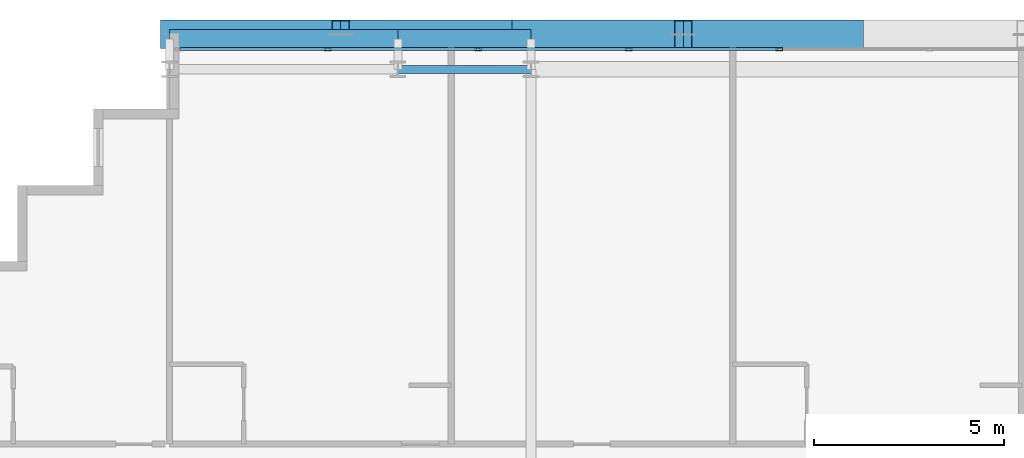
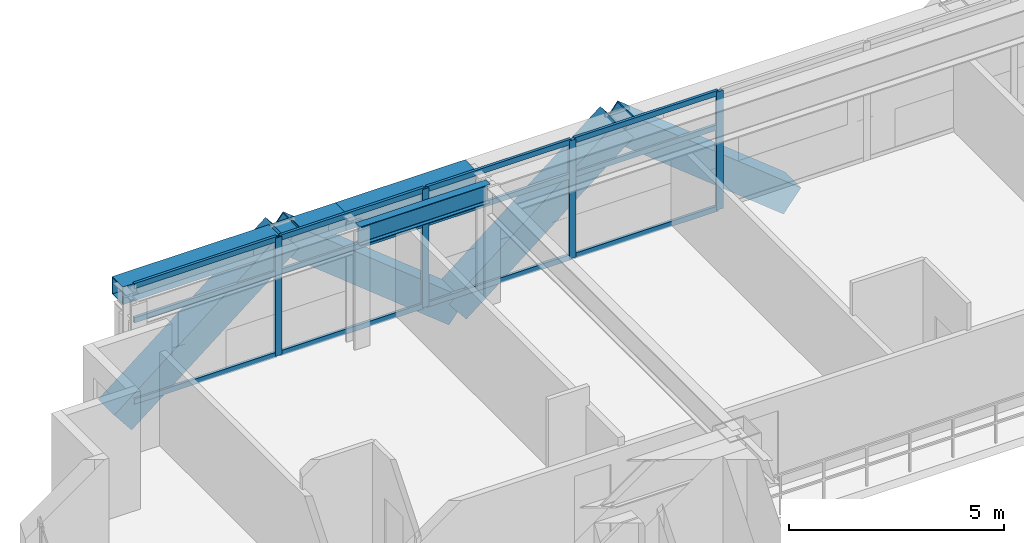
# One storey, part 18 of 34: 20 members, 3 beams, 1 element without a shape of its own.
"""IFC4 building model written with IfcOpenShell, lengths in metres."""

from ifc_helpers import new_model, si_unit, direction, frame, origin, origin_2d, place, context, subcontext, project, spatial, hollow_rectangle, i_section, extrude, source, transform, mapped, material, layer, layer_set, material_profile, profile_set, type_object, element, aggregate, save


model = new_model("IFC4")

# Units and contexts
model_context = context("Model", 3, precision=1e-05, world=origin(), true_north=direction((0.0, 1.0)))
body_context = subcontext(model_context, "Body", "Model", "MODEL_VIEW")
ifc_project = project(units=[si_unit("LENGTHUNIT", "METRE"), si_unit("AREAUNIT", "SQUARE_METRE"), si_unit("VOLUMEUNIT", "CUBIC_METRE"), si_unit("PLANEANGLEUNIT", "RADIAN"), si_unit("MASSUNIT", "GRAM", prefix="KILO")], contexts=[model_context])

# Site, building, storey
site_placement = place(None, origin())
site = spatial("IfcSite", under=ifc_project, at=site_placement, CompositionType="ELEMENT")
building_placement = place(site_placement, origin())
building = spatial("IfcBuilding", under=site, at=building_placement, Name="Ocotamira Hotel", CompositionType="ELEMENT")
storey_placement = place(building_placement, frame((0.0, 0.0, 111.60009765625)))
storey = spatial("IfcBuildingStorey", under=building, at=storey_placement, Name="L27", CompositionType="ELEMENT", Elevation=111.60009765625)

# Beams
ifc_material_1 = material(Name="Steel ASTM A992 Grade 50", Category="steel")
ifc_material_profile_1 = material_profile(ifc_material_1, i_section(OverallWidth=0.2099609375, OverallDepth=0.537109375, WebThickness=0.010986328125, FlangeThickness=0.017333984375, FilletRadius=0.012939453125, at=origin_2d()), Name="W21X68")
ifc_profile_set_1 = profile_set([ifc_material_profile_1], Name="Steel ASTM A992 Grade 50")
beam_type_1 = type_object("IfcBeamType", Name="BM-SEC-W21X68", PredefinedType="JOIST", material=ifc_profile_set_1)
shared_shape_1 = source(origin(), body_context, "Body", "SweptSolid", [
    extrude(i_section(OverallWidth=0.2099609375, OverallDepth=0.537109375, WebThickness=0.010986328125, FlangeThickness=0.017333984375, FilletRadius=0.012939453125, at=origin_2d()), origin(), (0.0, 0.0, 1.0), 3.5),
])
beam_1_placement = place(storey_placement, frame((20.0, 49.050048828125, 3.09130859375), z_axis=(1.0, 0.0, 0.0), x_axis=(0.0, 1.0, 0.0)))
element("IfcBeam", 1, at=beam_1_placement, inside=storey, type_object=beam_type_1, Name="L27 Girder Y49.05 X20-23.5", PredefinedType="JOIST", context=body_context, shape_type="MappedRepresentation", body=[
    mapped(shared_shape_1, transform((0.0, 0.0, 0.0), scale=1.0)),
])
ifc_material_2 = material(Name="Steel ASTM A500 Grade C", Category="steel")
ifc_material_profile_2 = material_profile(ifc_material_2, hollow_rectangle(XDim=0.5, YDim=0.5, WallThickness=0.02001953125, at=origin_2d()), Name="HSS500X500X20")
ifc_profile_set_2 = profile_set([ifc_material_profile_2], Name="Steel ASTM A500 Grade C")
beam_type_2 = type_object("IfcBeamType", Name="BM-SPAN-HSS500", PredefinedType="USERDEFINED", material=ifc_profile_set_2)
shared_shape_2 = source(origin(), body_context, "Body", "SweptSolid", [
    extrude(hollow_rectangle(XDim=0.5, YDim=0.5, WallThickness=0.02001953125, at=origin_2d()), origin(), (0.0, 0.0, 1.0), 6.0),
])
beam_2_placement = place(storey_placement, frame((14.0, 49.85009765625, 3.10986328125), z_axis=(1.0, 0.0, 0.0), x_axis=(0.0, 1.0, 0.0)))
element("IfcBeam", 2, at=beam_2_placement, inside=storey, type_object=beam_type_2, Name="L27 Edge Spandrel N X14-20", ObjectType="SPANDREL", PredefinedType="USERDEFINED", context=body_context, shape_type="MappedRepresentation", body=[
    mapped(shared_shape_2, transform((0.0, 0.0, 0.0), scale=1.0)),
])
shared_shape_3 = source(origin(), body_context, "Body", "SweptSolid", [
    extrude(hollow_rectangle(XDim=0.5, YDim=0.5, WallThickness=0.02001953125, at=origin_2d()), origin(), (0.0, 0.0, 1.0), 3.5),
])
beam_3_placement = place(storey_placement, frame((20.0, 49.85009765625, 3.10986328125), z_axis=(1.0, 0.0, 0.0), x_axis=(0.0, 1.0, 0.0)))
element("IfcBeam", 3, at=beam_3_placement, inside=storey, type_object=beam_type_2, Name="L27 Edge Spandrel N X20-23.5", ObjectType="SPANDREL", PredefinedType="USERDEFINED", context=body_context, shape_type="MappedRepresentation", body=[
    mapped(shared_shape_3, transform((0.0, 0.0, 0.0), scale=1.0)),
])

# Members
ifc_material_3 = material(Name="Pale-metal coated steel ASTM A913 Grade 65", Category="steel")
ifc_material_profile_3 = material_profile(ifc_material_3, hollow_rectangle(XDim=0.75, YDim=0.75, WallThickness=0.028076171875, at=origin_2d()), Name="BOX750X750X28")
ifc_profile_set_3 = profile_set([ifc_material_profile_3], Name="Pale-metal coated steel ASTM A913 Grade 65")
member_type_1 = type_object("IfcMemberType", Name="MEM-EXO-BOX750", PredefinedType="BRACE", material=ifc_profile_set_3)
shared_shape_4 = source(origin(), body_context, "Body", "SweptSolid", [
    extrude(hollow_rectangle(XDim=0.75, YDim=0.75, WallThickness=0.028076171875, at=origin_2d()), origin(), (0.0, 0.0, 1.0), 5.7626953125),
])
for number, where, z_axis, x_axis, name in (
    (4, (14.0, 49.969970703125, -0.489990234375), (0.780881208953, 0.0, 0.624679547852), (0.0, 1.0, 0.0), "L27 Exoskeleton Diagrid N0.1"),
    (5, (23.0, 49.969970703125, -0.489990234375), (-0.780881208953, 0.0, 0.624679547852), (0.0, -1.0, 0.0), "L27 Exoskeleton Diagrid N0.2"),
    (6, (23.0, 49.969970703125, -0.489990234375), (0.780881208953, 0.0, 0.624679547852), (0.0, 1.0, 0.0), "L27 Exoskeleton Diagrid N1.1"),
    (7, (32.0, 49.969970703125, -0.489990234375), (-0.780881208953, 0.0, 0.624679547852), (0.0, -1.0, 0.0), "L27 Exoskeleton Diagrid N1.2"),
):
    element("IfcMember", number, at=place(storey_placement, frame(where, z_axis=z_axis, x_axis=x_axis)), inside=storey, type_object=member_type_1, Name=name, PredefinedType="BRACE", context=body_context, shape_type="MappedRepresentation", body=[
        mapped(shared_shape_4, transform((0.0, 0.0, 0.0), scale=1.0)),
    ])

# Curtain wall, members
ifc_material_4 = material(Name="Anodised pale-metal aluminium and solar glass", Category="aluminium")
ifc_layer = layer(ifc_material_4, 0.179931640625)
ifc_layer_set = layer_set([ifc_layer], Name="Anodised pale-metal aluminium and solar glass")
curtain_wall_type = type_object("IfcCurtainWallType", Name="CW-SYS3-Z2", PredefinedType="NOTDEFINED", material=ifc_layer_set)
curtain_wall_placement = place(storey_placement, origin())
curtain_wall = element("IfcCurtainWall", 8, at=curtain_wall_placement, inside=storey, type_object=curtain_wall_type, Name="L27 Curtain Wall CW-3 CW-L27-N", PredefinedType="NOTDEFINED")
ifc_material_5 = material(Name="Anodised pale-metal aluminium 6063-T6", Category="aluminium")
ifc_material_profile_4 = material_profile(ifc_material_5, hollow_rectangle(XDim=0.074951171875, YDim=0.14990234375, WallThickness=0.006103515625, at=origin_2d()), Name="HSS150X75X6")
ifc_profile_set_4 = profile_set([ifc_material_profile_4], Name="Anodised pale-metal aluminium 6063-T6")
member_type_2 = type_object("IfcMemberType", Name="CWT-150X75", PredefinedType="USERDEFINED", material=ifc_profile_set_4)
shared_shape_5 = source(origin(), body_context, "Body", "SweptSolid", [
    extrude(hollow_rectangle(XDim=0.074951171875, YDim=0.14990234375, WallThickness=0.006103515625, at=origin_2d()), origin(), (0.0, 0.0, 1.0), 3.83544921875),
])
member_1_placement = place(storey_placement, frame((14.280029296875, 49.580078125, 0.037353515625), z_axis=(1.0, 0.0, 0.0), x_axis=(0.0, 1.0, 0.0)))
member_1 = element("IfcMember", 9, at=member_1_placement, type_object=member_type_2, Name="CW-3 transom 1.1", ObjectType="TRANSOM", PredefinedType="USERDEFINED", context=body_context, shape_type="MappedRepresentation", body=[
    mapped(shared_shape_5, transform((0.0, 0.0, 0.0), scale=1.0)),
])
member_2_placement = place(storey_placement, frame((14.280029296875, 49.580078125, 2.349853515625), z_axis=(1.0, 0.0, 0.0), x_axis=(0.0, 1.0, 0.0)))
member_2 = element("IfcMember", 10, at=member_2_placement, type_object=member_type_2, Name="CW-3 transom 1.2", ObjectType="TRANSOM", PredefinedType="USERDEFINED", context=body_context, shape_type="MappedRepresentation", body=[
    mapped(shared_shape_5, transform((0.0, 0.0, 0.0), scale=1.0)),
])
member_3_placement = place(storey_placement, frame((14.280029296875, 49.580078125, 3.322509765625), z_axis=(1.0, 0.0, 0.0), x_axis=(0.0, 1.0, 0.0)))
member_3 = element("IfcMember", 11, at=member_3_placement, type_object=member_type_2, Name="CW-3 transom 1.3", ObjectType="TRANSOM", PredefinedType="USERDEFINED", context=body_context, shape_type="MappedRepresentation", body=[
    mapped(shared_shape_5, transform((0.0, 0.0, 0.0), scale=1.0)),
])
shared_shape_6 = source(origin(), body_context, "Body", "SweptSolid", [
    extrude(hollow_rectangle(XDim=0.074951171875, YDim=0.14990234375, WallThickness=0.006103515625, at=origin_2d()), origin(), (0.0, 0.0, 1.0), 3.87548828125),
])
member_4_placement = place(storey_placement, frame((18.195556640625, 49.580078125, 0.037353515625), z_axis=(1.0, 0.0, 0.0), x_axis=(0.0, 1.0, 0.0)))
member_4 = element("IfcMember", 12, at=member_4_placement, type_object=member_type_2, Name="CW-3 transom 2.1", ObjectType="TRANSOM", PredefinedType="USERDEFINED", context=body_context, shape_type="MappedRepresentation", body=[
    mapped(shared_shape_6, transform((0.0, 0.0, 0.0), scale=1.0)),
])
member_5_placement = place(storey_placement, frame((18.195556640625, 49.580078125, 2.349853515625), z_axis=(1.0, 0.0, 0.0), x_axis=(0.0, 1.0, 0.0)))
member_5 = element("IfcMember", 13, at=member_5_placement, type_object=member_type_2, Name="CW-3 transom 2.2", ObjectType="TRANSOM", PredefinedType="USERDEFINED", context=body_context, shape_type="MappedRepresentation", body=[
    mapped(shared_shape_6, transform((0.0, 0.0, 0.0), scale=1.0)),
])
member_6_placement = place(storey_placement, frame((18.195556640625, 49.580078125, 3.322509765625), z_axis=(1.0, 0.0, 0.0), x_axis=(0.0, 1.0, 0.0)))
member_6 = element("IfcMember", 14, at=member_6_placement, type_object=member_type_2, Name="CW-3 transom 2.3", ObjectType="TRANSOM", PredefinedType="USERDEFINED", context=body_context, shape_type="MappedRepresentation", body=[
    mapped(shared_shape_6, transform((0.0, 0.0, 0.0), scale=1.0)),
])
member_7_placement = place(storey_placement, frame((22.151123046875, 49.580078125, 0.037353515625), z_axis=(1.0, 0.0, 0.0), x_axis=(0.0, 1.0, 0.0)))
member_7 = element("IfcMember", 15, at=member_7_placement, type_object=member_type_2, Name="CW-3 transom 3.1", ObjectType="TRANSOM", PredefinedType="USERDEFINED", context=body_context, shape_type="MappedRepresentation", body=[
    mapped(shared_shape_6, transform((0.0, 0.0, 0.0), scale=1.0)),
])
member_8_placement = place(storey_placement, frame((22.151123046875, 49.580078125, 2.349853515625), z_axis=(1.0, 0.0, 0.0), x_axis=(0.0, 1.0, 0.0)))
member_8 = element("IfcMember", 16, at=member_8_placement, type_object=member_type_2, Name="CW-3 transom 3.2", ObjectType="TRANSOM", PredefinedType="USERDEFINED", context=body_context, shape_type="MappedRepresentation", body=[
    mapped(shared_shape_6, transform((0.0, 0.0, 0.0), scale=1.0)),
])
member_9_placement = place(storey_placement, frame((22.151123046875, 49.580078125, 3.322509765625), z_axis=(1.0, 0.0, 0.0), x_axis=(0.0, 1.0, 0.0)))
member_9 = element("IfcMember", 17, at=member_9_placement, type_object=member_type_2, Name="CW-3 transom 3.3", ObjectType="TRANSOM", PredefinedType="USERDEFINED", context=body_context, shape_type="MappedRepresentation", body=[
    mapped(shared_shape_6, transform((0.0, 0.0, 0.0), scale=1.0)),
])
member_10_placement = place(storey_placement, frame((26.106689453125, 49.580078125, 0.037353515625), z_axis=(1.0, 0.0, 0.0), x_axis=(0.0, 1.0, 0.0)))
member_10 = element("IfcMember", 18, at=member_10_placement, type_object=member_type_2, Name="CW-3 transom 4.1", ObjectType="TRANSOM", PredefinedType="USERDEFINED", context=body_context, shape_type="MappedRepresentation", body=[
    mapped(shared_shape_6, transform((0.0, 0.0, 0.0), scale=1.0)),
])
member_11_placement = place(storey_placement, frame((26.106689453125, 49.580078125, 2.349853515625), z_axis=(1.0, 0.0, 0.0), x_axis=(0.0, 1.0, 0.0)))
member_11 = element("IfcMember", 19, at=member_11_placement, type_object=member_type_2, Name="CW-3 transom 4.2", ObjectType="TRANSOM", PredefinedType="USERDEFINED", context=body_context, shape_type="MappedRepresentation", body=[
    mapped(shared_shape_6, transform((0.0, 0.0, 0.0), scale=1.0)),
])
member_12_placement = place(storey_placement, frame((26.106689453125, 49.580078125, 3.322509765625), z_axis=(1.0, 0.0, 0.0), x_axis=(0.0, 1.0, 0.0)))
member_12 = element("IfcMember", 20, at=member_12_placement, type_object=member_type_2, Name="CW-3 transom 4.3", ObjectType="TRANSOM", PredefinedType="USERDEFINED", context=body_context, shape_type="MappedRepresentation", body=[
    mapped(shared_shape_6, transform((0.0, 0.0, 0.0), scale=1.0)),
])
ifc_material_profile_5 = material_profile(ifc_material_5, hollow_rectangle(XDim=0.080078125, YDim=0.179931640625, WallThickness=0.006103515625, at=origin_2d()), Name="HSS180X80X6")
ifc_profile_set_5 = profile_set([ifc_material_profile_5], Name="Anodised pale-metal aluminium 6063-T6")
member_type_3 = type_object("IfcMemberType", Name="CWM-180X75", PredefinedType="MULLION", material=ifc_profile_set_5)
shared_shape_7 = source(origin(), body_context, "Body", "SweptSolid", [
    extrude(hollow_rectangle(XDim=0.080078125, YDim=0.179931640625, WallThickness=0.006103515625, at=origin_2d()), origin(), (0.0, 0.0, 1.0), 3.35986328125),
])
member_13_placement = place(storey_placement, frame((18.155517578125, 49.580078125, 0.0), z_axis=(0.0, 0.0, 1.0), x_axis=(0.0, 1.0, 0.0)))
member_13 = element("IfcMember", 21, at=member_13_placement, type_object=member_type_3, Name="CW-3 mullion 2", PredefinedType="MULLION", context=body_context, shape_type="MappedRepresentation", body=[
    mapped(shared_shape_7, transform((0.0, 0.0, 0.0), scale=1.0)),
])
member_14_placement = place(storey_placement, frame((22.111083984375, 49.580078125, 0.0), z_axis=(0.0, 0.0, 1.0), x_axis=(0.0, 1.0, 0.0)))
member_14 = element("IfcMember", 22, at=member_14_placement, type_object=member_type_3, Name="CW-3 mullion 3", PredefinedType="MULLION", context=body_context, shape_type="MappedRepresentation", body=[
    mapped(shared_shape_7, transform((0.0, 0.0, 0.0), scale=1.0)),
])
member_15_placement = place(storey_placement, frame((26.066650390625, 49.580078125, 0.0), z_axis=(0.0, 0.0, 1.0), x_axis=(0.0, 1.0, 0.0)))
member_15 = element("IfcMember", 23, at=member_15_placement, type_object=member_type_3, Name="CW-3 mullion 4", PredefinedType="MULLION", context=body_context, shape_type="MappedRepresentation", body=[
    mapped(shared_shape_7, transform((0.0, 0.0, 0.0), scale=1.0)),
])
member_16_placement = place(storey_placement, frame((30.022216796875, 49.580078125, 0.0), z_axis=(0.0, 0.0, 1.0), x_axis=(0.0, 1.0, 0.0)))
member_16 = element("IfcMember", 24, at=member_16_placement, type_object=member_type_3, Name="CW-3 mullion 5", PredefinedType="MULLION", context=body_context, shape_type="MappedRepresentation", body=[
    mapped(shared_shape_7, transform((0.0, 0.0, 0.0), scale=1.0)),
])
aggregate(curtain_wall, [member_13, member_14, member_15, member_16, member_1, member_2, member_3, member_4, member_5, member_6, member_7, member_8, member_9, member_10, member_11, member_12])

save(model, "model.ifc")
